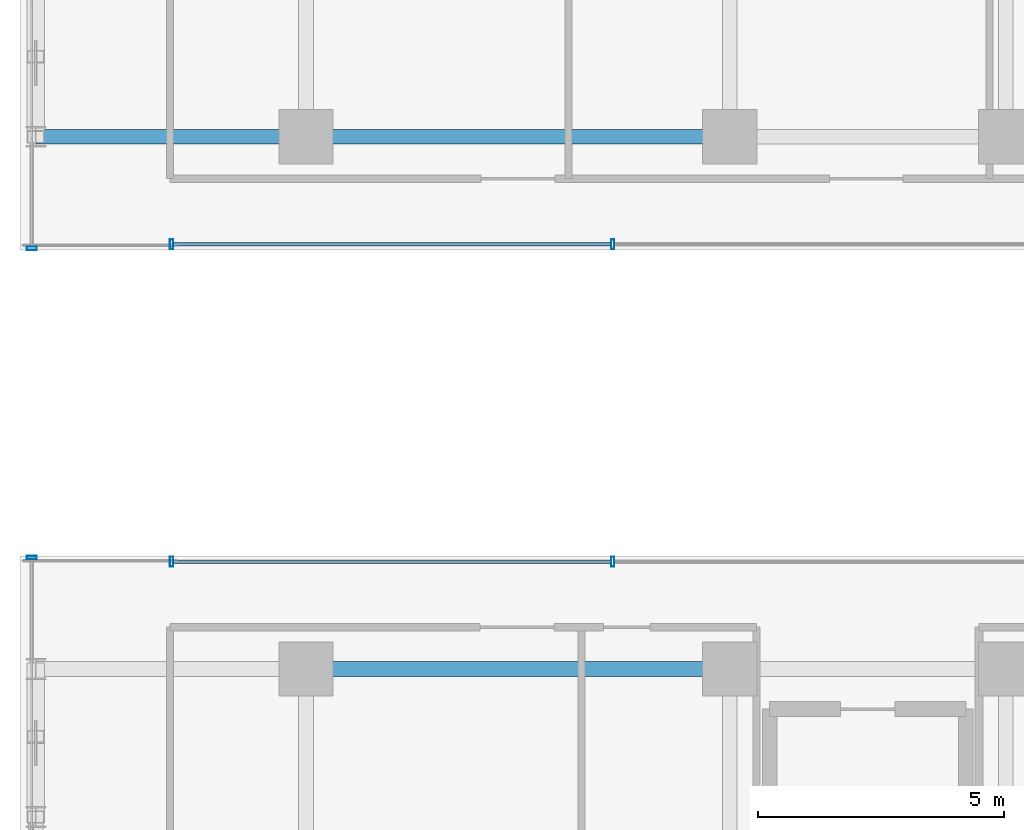
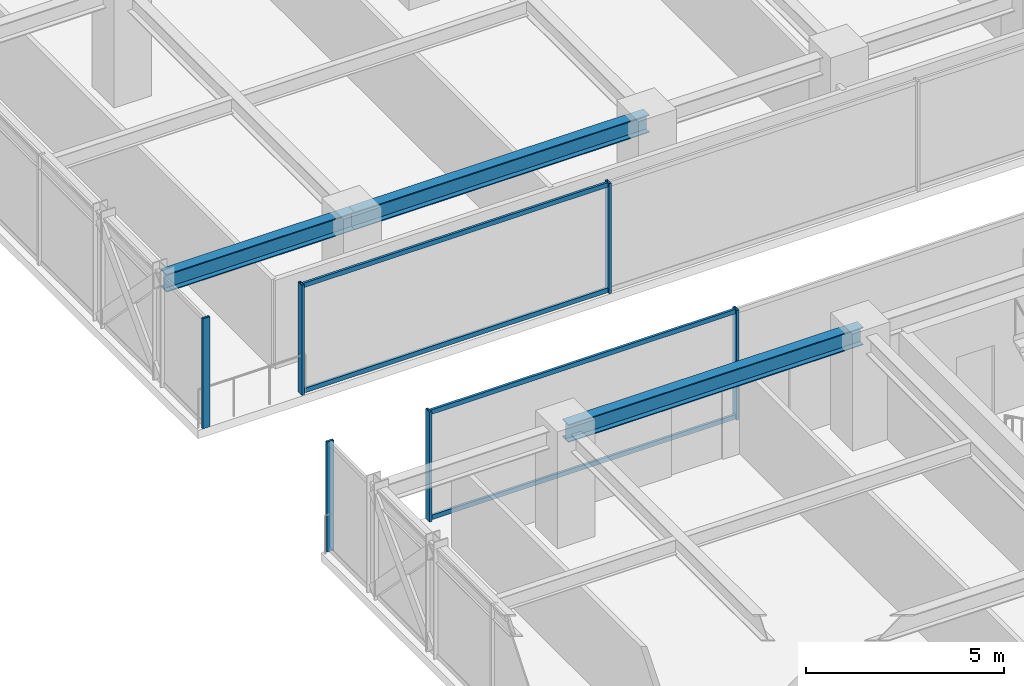
# One storey, part 7 of 38: 10 members, 3 beams, 4 elements without a shape of their own.
"""IFC4 building model written with IfcOpenShell, lengths in metres."""

import ifcopenshell
import ifcopenshell.guid

model = None  # the IFC model being written
_history = None  # IfcOwnerHistory: only IFC2X3 demands one
_inside = {}  # id of a spatial element -> (the spatial element, [elements in it])
_under = {}  # id of a project, library or spatial element -> (it, [spatial elements below it])
_declared = {}  # id of a project -> (the project, [libraries it declares])
_typed = {}  # id of a type object -> (the type object, [elements of that type])
_made_of = {}  # id of a material, layer set ... -> (it, [elements and type objects made of it])


def new_model(schema):
    """Start an empty IFC model of exactly this schema.

    Asked for "IFC4X3", IfcOpenShell would pick the latest addendum, in which some entities
    have other attributes; the version numbers below select the first issue.
    IFC2X3 requires an IfcOwnerHistory on every rooted entity: one is made here for all.
    """
    global model, _history
    if schema == "IFC4X3":
        model = ifcopenshell.file(schema_version=(4, 3, 0, 0))
    else:
        model = ifcopenshell.file(schema=schema)
    _inside.clear()
    _under.clear()
    _declared.clear()
    _typed.clear()
    _made_of.clear()
    _history = None
    if model.schema == "IFC2X3":
        org = make("IfcOrganization", Name="unknown")
        user = make(
            "IfcPersonAndOrganization",
            ThePerson=make("IfcPerson", FamilyName="unknown"),
            TheOrganization=org,
        )
        app = make(
            "IfcApplication",
            ApplicationDeveloper=org,
            Version="unknown",
            ApplicationFullName="unknown",
            ApplicationIdentifier="unknown",
        )
        _history = make(
            "IfcOwnerHistory",
            OwningUser=user,
            OwningApplication=app,
            ChangeAction="ADDED",
            CreationDate=0,
        )
    return model


def make(cls, **values):
    """One entity of the class cls with the attributes given. An attribute that is None is left unset."""
    return model.create_entity(
        cls, **{name: value for name, value in values.items() if value is not None}
    )


def rooted(cls, **values):
    """An entity with a GlobalId (a new one), such as an element, a storey or a relation."""
    return make(cls, GlobalId=ifcopenshell.guid.new(), OwnerHistory=_history, **values)


def si_unit(unit_type, name, prefix=None):
    """IfcSIUnit, for example si_unit("LENGTHUNIT", "METRE", prefix="MILLI")."""
    return make("IfcSIUnit", UnitType=unit_type, Prefix=prefix, Name=name)


def assignment(units):
    """IfcUnitAssignment: the units of a project."""
    return None if units is None else make("IfcUnitAssignment", Units=units)


def point(xyz):
    """IfcCartesianPoint."""
    return None if xyz is None else make("IfcCartesianPoint", Coordinates=xyz)


def direction(xyz):
    """IfcDirection."""
    return None if xyz is None else make("IfcDirection", DirectionRatios=xyz)


def frame(location, z_axis=None, x_axis=None):
    """IfcAxis2Placement3D, a coordinate frame: its origin and axes. An axis left out is left unset."""
    return make(
        "IfcAxis2Placement3D",
        Location=point(location),
        Axis=direction(z_axis),
        RefDirection=direction(x_axis),
    )


def frame_2d(location, x_axis=None):
    """IfcAxis2Placement2D, a coordinate frame in the plane: its origin and x axis."""
    return make(
        "IfcAxis2Placement2D", Location=point(location), RefDirection=direction(x_axis)
    )


def origin():
    """The frame at (0, 0, 0) with its axes left unset."""
    return frame((0.0, 0.0, 0.0))


def origin_2d():
    """The frame at (0, 0) in the plane with its x axis left unset."""
    return frame_2d((0.0, 0.0))


def place(relative_to, where):
    """IfcLocalPlacement: puts the frame where relative to a parent placement (None: the world)."""
    return make(
        "IfcLocalPlacement", PlacementRelTo=relative_to, RelativePlacement=where
    )


def context(
    kind, dimensions, precision=None, world=None, true_north=None, identifier=None
):
    """IfcGeometricRepresentationContext, for example the 3D "Model" context."""
    return make(
        "IfcGeometricRepresentationContext",
        ContextIdentifier=identifier,
        ContextType=kind,
        CoordinateSpaceDimension=dimensions,
        Precision=precision,
        WorldCoordinateSystem=world,
        TrueNorth=true_north,
    )


def subcontext(parent, identifier, kind, view, scale=None):
    """IfcGeometricRepresentationSubContext, for example "Body" below "Model"."""
    return make(
        "IfcGeometricRepresentationSubContext",
        ContextIdentifier=identifier,
        ContextType=kind,
        ParentContext=parent,
        TargetScale=scale,
        TargetView=view,
    )


def project(units=None, contexts=None):
    """IfcProject with its units and contexts."""
    return rooted(
        "IfcProject",
        Name="project",
        RepresentationContexts=contexts,
        UnitsInContext=assignment(units),
    )


def spatial(cls, under=None, at=None, **own):
    """A site, building, storey or space (cls), placed at a placement, below another one or the project."""
    s = rooted(cls, ObjectPlacement=at, **own)
    if under is not None:
        _under.setdefault(under.id(), (under, []))[1].append(s)
    return s


def profile(cls, at=None, kind="AREA", **sizes):
    """A parametric profile (cls). Its sizes go by their IFC names, for example OverallWidth=200.0."""
    return make(cls, ProfileType=kind, Position=at, **sizes)


def hollow_rectangle(**sizes):
    """IfcRectangleHollowProfileDef."""
    return profile("IfcRectangleHollowProfileDef", **sizes)


def i_section(**sizes):
    """IfcIShapeProfileDef."""
    return profile("IfcIShapeProfileDef", **sizes)


def extrude(swept, where, along, depth):
    """IfcExtrudedAreaSolid: the profile swept, set in the frame where, extruded along a direction by depth."""
    return make(
        "IfcExtrudedAreaSolid",
        SweptArea=swept,
        Position=where,
        ExtrudedDirection=direction(along),
        Depth=depth,
    )


def shape(context_of_items, identifier, shape_type, items):
    """IfcShapeRepresentation: the items that make up one representation, for example the "Body"."""
    return make(
        "IfcShapeRepresentation",
        ContextOfItems=context_of_items,
        RepresentationIdentifier=identifier,
        RepresentationType=shape_type,
        Items=items,
    )


def source(mapping_origin, context_of_items, identifier, shape_type, items):
    """IfcRepresentationMap: a shape defined once, which mapped items show again and again."""
    return make(
        "IfcRepresentationMap",
        MappingOrigin=mapping_origin,
        MappedRepresentation=shape(context_of_items, identifier, shape_type, items),
    )


def transform(
    local_origin,
    x_axis=None,
    y_axis=None,
    z_axis=None,
    scale=None,
    scale2=None,
    scale3=None,
    uniform=True,
):
    """IfcCartesianTransformationOperator3D, or its non-uniform kind. x_axis, y_axis, z_axis: its Axis1, 2, 3."""
    if uniform:
        return make(
            "IfcCartesianTransformationOperator3D",
            Axis1=direction(x_axis),
            Axis2=direction(y_axis),
            LocalOrigin=point(local_origin),
            Scale=scale,
            Axis3=direction(z_axis),
        )
    return make(
        "IfcCartesianTransformationOperator3DnonUniform",
        Axis1=direction(x_axis),
        Axis2=direction(y_axis),
        LocalOrigin=point(local_origin),
        Scale=scale,
        Axis3=direction(z_axis),
        Scale2=scale2,
        Scale3=scale3,
    )


def mapped(mapping_source, mapping_target):
    """IfcMappedItem: shows the shape of a source again, moved by a transform."""
    return make(
        "IfcMappedItem", MappingSource=mapping_source, MappingTarget=mapping_target
    )


def material(Name=None, Category=None):
    """IfcMaterial."""
    return make("IfcMaterial", Name=Name, Category=Category)


def material_profile(
    of_material, cross_section, Name=None, Category=None, Priority=None
):
    """IfcMaterialProfile: a cross section and its material."""
    return make(
        "IfcMaterialProfile",
        Name=Name,
        Material=of_material,
        Profile=cross_section,
        Priority=Priority,
        Category=Category,
    )


def profile_set(profiles, Name=None, composite=None):
    """IfcMaterialProfileSet."""
    return make(
        "IfcMaterialProfileSet",
        Name=Name,
        MaterialProfiles=profiles,
        CompositeProfile=composite,
    )


def made_of(thing, what):
    """Note that an element or type object is made of a material, layer set ...; save() writes the relation."""
    if what is not None:
        _made_of.setdefault(what.id(), (what, []))[1].append(thing)
    return thing


def type_object(cls, material=None, **own):
    """A type object (cls), such as IfcWallType, which elements share."""
    return made_of(rooted(cls, **own), material)


def element(
    cls,
    number,
    at=None,
    inside=None,
    cuts=None,
    type_object=None,
    material=None,
    context=None,
    identifier="Body",
    shape_type=None,
    held_by="IfcProductDefinitionShape",
    body=None,
    shapes=None,
    **own,
):
    """One element of the class cls, such as IfcWall. Its Tag is "e" and its number.

    at: its placement. inside: the storey or other place that contains it. cuts: it is an
    opening in that element (IfcRelVoidsElement). A single representation is given by context,
    identifier, shape_type and body (its items); several are given by shapes. held_by: the class
    of the entity that holds the representations. save() writes the other relations.
    """
    e = rooted(cls, Tag="e%d" % number, ObjectPlacement=at, **own)
    if body is not None:
        shapes = [shape(context, identifier, shape_type, body)]
    if shapes is not None:
        e.Representation = make(held_by, Representations=shapes)
    if inside is not None:
        _inside.setdefault(inside.id(), (inside, []))[1].append(e)
    if cuts is not None:
        rooted(
            "IfcRelVoidsElement", RelatingBuildingElement=cuts, RelatedOpeningElement=e
        )
    if type_object is not None:
        _typed.setdefault(type_object.id(), (type_object, []))[1].append(e)
    return made_of(e, material)


def aggregate(whole, parts):
    """IfcRelAggregates: a whole, such as a stair, and the parts it consists of."""
    return rooted("IfcRelAggregates", RelatingObject=whole, RelatedObjects=parts)


def save(model, path):
    """Write the relations noted so far, then the file.

    IfcRelAggregates (storeys below a building ...), IfcRelContainedInSpatialStructure (elements
    in a storey), IfcRelDefinesByType, IfcRelAssociatesMaterial and IfcRelDeclares: one each for
    every whole, place, type object, material and project.
    """
    for whole, parts in _under.values():
        aggregate(whole, parts)
    for where, things in _inside.values():
        rooted(
            "IfcRelContainedInSpatialStructure",
            RelatedElements=things,
            RelatingStructure=where,
        )
    for kind, things in _typed.values():
        rooted("IfcRelDefinesByType", RelatedObjects=things, RelatingType=kind)
    for what, things in _made_of.values():
        rooted("IfcRelAssociatesMaterial", RelatedObjects=things, RelatingMaterial=what)
    for by, libraries in _declared.values():
        rooted("IfcRelDeclares", RelatingContext=by, RelatedDefinitions=libraries)
    model.write(path)


model = new_model("IFC4")

# Units and contexts
model_context = context("Model", 3, precision=1e-05, world=origin(), true_north=direction((0.0, 1.0)))
body_context = subcontext(model_context, "Body", "Model", "MODEL_VIEW")
ifc_project = project(units=[si_unit("LENGTHUNIT", "METRE"), si_unit("AREAUNIT", "SQUARE_METRE"), si_unit("VOLUMEUNIT", "CUBIC_METRE"), si_unit("PLANEANGLEUNIT", "RADIAN"), si_unit("MASSUNIT", "GRAM", prefix="KILO")], contexts=[model_context])

# Site, building, storey
site_placement = place(None, origin())
site = spatial("IfcSite", under=ifc_project, at=site_placement, CompositionType="ELEMENT")
building_placement = place(site_placement, origin())
building = spatial("IfcBuilding", under=site, at=building_placement, Name="Nahalor Promenade Grand Hotel", CompositionType="ELEMENT")
storey_placement = place(building_placement, frame((0.0, 0.0, 178.199951171875)))
storey = spatial("IfcBuildingStorey", under=building, at=storey_placement, Name="L45", CompositionType="ELEMENT", Elevation=178.199951171875)

# Beams
ifc_material_1 = material(Name="Steel S355JR", Category="steel")
ifc_material_profile_1 = material_profile(ifc_material_1, i_section(OverallWidth=0.3, OverallDepth=0.55, WebThickness=0.015, FlangeThickness=0.029, at=origin_2d()), Name="HEB 550")
ifc_profile_set_1 = profile_set([ifc_material_profile_1], Name="Steel S355JR")
beam_type = type_object("IfcBeamType", Name="Beam-Girder-HEB550", PredefinedType="BEAM", material=ifc_profile_set_1)
shared_shape_1 = source(origin(), body_context, "Body", "SweptSolid", [
    extrude(i_section(OverallWidth=0.3, OverallDepth=0.55, WebThickness=0.015, FlangeThickness=0.029, at=origin_2d()), origin(), (0.0, 0.0, 1.0), 8.60009765625),
])
for number, where, z_axis, x_axis, name in (
    (1, (-17.0, -5.39990234375, 3.114990234375), (1.0, 0.0, 0.0), (0.0, 1.0, 0.0), "BM-L45-GX-1-1"),
    (2, (-17.0, 5.39990234375, 3.114990234375), (1.0, 0.0, 0.0), (0.0, 1.0, 0.0), "BM-L45-GX-2-1"),
):
    element("IfcBeam", number, at=place(storey_placement, frame(where, z_axis=z_axis, x_axis=x_axis)), inside=storey, type_object=beam_type, Name=name, PredefinedType="BEAM", context=body_context, shape_type="MappedRepresentation", body=[
        mapped(shared_shape_1, transform((0.0, 0.0, 0.0), scale=1.0)),
    ])
shared_shape_2 = source(origin(), body_context, "Body", "SweptSolid", [
    extrude(i_section(OverallWidth=0.3, OverallDepth=0.55, WebThickness=0.015, FlangeThickness=0.029, at=origin_2d()), origin(), (0.0, 0.0, 1.0), 5.47998046875),
])
beam_placement = place(storey_placement, frame((-22.47998046875, 5.39990234375, 3.114990234375), z_axis=(1.0, 0.0, 0.0), x_axis=(0.0, 1.0, 0.0)))
element("IfcBeam", 3, at=beam_placement, inside=storey, type_object=beam_type, Name="BM-L45-GX-2-0", PredefinedType="BEAM", context=body_context, shape_type="MappedRepresentation", body=[
    mapped(shared_shape_2, transform((0.0, 0.0, 0.0), scale=1.0)),
])

# Curtain wall, member
ifc_material_2 = material(Name="Anodised Bronze Aluminium EN AW-6063 T6", Category="aluminium")
curtain_wall_type = type_object("IfcCurtainWallType", Name="CW3 Elliptical-Void Collar Unitised Curtain Wall", PredefinedType="USERDEFINED", material=ifc_material_2)
curtain_wall_1_placement = place(storey_placement, origin())
curtain_wall_1 = element("IfcCurtainWall", 4, at=curtain_wall_1_placement, inside=storey, type_object=curtain_wall_type, Name="L45 Curtain Wall CW-L45-W-1", ObjectType="UNITISED_CURTAIN_WALL", PredefinedType="USERDEFINED")
ifc_material_profile_2 = material_profile(ifc_material_2, hollow_rectangle(XDim=0.07, YDim=0.2, WallThickness=0.005, at=origin_2d()), Name="CWM 70x200x5")
ifc_profile_set_2 = profile_set([ifc_material_profile_2], Name="Anodised Bronze Aluminium EN AW-6063 T6")
member_type_1 = type_object("IfcMemberType", Name="CWM3 Void Collar Mullion 70x200", PredefinedType="MULLION", material=ifc_profile_set_2)
shared_shape_3 = source(origin(), body_context, "Body", "SweptSolid", [
    extrude(hollow_rectangle(XDim=0.07, YDim=0.2, WallThickness=0.005, at=origin_2d()), origin(), (0.0, 0.0, 1.0), 3.39013671875),
])
member_1_placement = place(storey_placement, frame((-22.56005859375, -3.135009765625, 0.0), z_axis=(0.0, 0.0, 1.0), x_axis=(0.0, 1.0, 0.0)))
member_1 = element("IfcMember", 5, at=member_1_placement, type_object=member_type_1, Name="CW-L45-W-1 Mullion 2", PredefinedType="MULLION", context=body_context, shape_type="MappedRepresentation", body=[
    mapped(shared_shape_3, transform((0.0, 0.0, 0.0), scale=1.0)),
])
aggregate(curtain_wall_1, [member_1])

curtain_wall_2_placement = place(storey_placement, origin())
curtain_wall_2 = element("IfcCurtainWall", 6, at=curtain_wall_2_placement, inside=storey, type_object=curtain_wall_type, Name="L45 Curtain Wall CW-L45-W-2", ObjectType="UNITISED_CURTAIN_WALL", PredefinedType="USERDEFINED")
member_2_placement = place(storey_placement, frame((-22.56005859375, 3.135009765625, 0.0), z_axis=(0.0, 0.0, 1.0), x_axis=(0.0, 1.0, 0.0)))
member_2 = element("IfcMember", 7, at=member_2_placement, type_object=member_type_1, Name="CW-L45-W-2 Mullion 0", PredefinedType="MULLION", context=body_context, shape_type="MappedRepresentation", body=[
    mapped(shared_shape_3, transform((0.0, 0.0, 0.0), scale=1.0)),
])
aggregate(curtain_wall_2, [member_2])

# Curtain wall, members
curtain_wall_3_placement = place(storey_placement, origin())
curtain_wall_3 = element("IfcCurtainWall", 8, at=curtain_wall_3_placement, inside=storey, type_object=curtain_wall_type, Name="L45 Curtain Wall CW-L45-VOID-WS1", ObjectType="UNITISED_CURTAIN_WALL", PredefinedType="USERDEFINED")
member_3_placement = place(storey_placement, frame((-19.72509765625, -3.219970703125, 0.0), z_axis=(0.0, 0.0, 1.0), x_axis=(1.0, 0.0, 0.0)))
member_3 = element("IfcMember", 9, at=member_3_placement, type_object=member_type_1, Name="CW-L45-VOID-WS1 Mullion 0", PredefinedType="MULLION", context=body_context, shape_type="MappedRepresentation", body=[
    mapped(shared_shape_3, transform((0.0, 0.0, 0.0), scale=1.0)),
])
member_4_placement = place(storey_placement, frame((-10.7734375, -3.219970703125, 0.0), z_axis=(0.0, 0.0, 1.0), x_axis=(1.0, 0.0, 0.0)))
member_4 = element("IfcMember", 10, at=member_4_placement, type_object=member_type_1, Name="CW-L45-VOID-WS1 Mullion 1", PredefinedType="MULLION", context=body_context, shape_type="MappedRepresentation", body=[
    mapped(shared_shape_3, transform((0.0, 0.0, 0.0), scale=1.0)),
])

curtain_wall_4_placement = place(storey_placement, origin())
curtain_wall_4 = element("IfcCurtainWall", 11, at=curtain_wall_4_placement, inside=storey, type_object=curtain_wall_type, Name="L45 Curtain Wall CW-L45-VOID-WN1", ObjectType="UNITISED_CURTAIN_WALL", PredefinedType="USERDEFINED")
member_5_placement = place(storey_placement, frame((-19.72509765625, 3.219970703125, 0.0), z_axis=(0.0, 0.0, 1.0), x_axis=(1.0, 0.0, 0.0)))
member_5 = element("IfcMember", 12, at=member_5_placement, type_object=member_type_1, Name="CW-L45-VOID-WN1 Mullion 0", PredefinedType="MULLION", context=body_context, shape_type="MappedRepresentation", body=[
    mapped(shared_shape_3, transform((0.0, 0.0, 0.0), scale=1.0)),
])
member_6_placement = place(storey_placement, frame((-10.7734375, 3.219970703125, 0.0), z_axis=(0.0, 0.0, 1.0), x_axis=(1.0, 0.0, 0.0)))
member_6 = element("IfcMember", 13, at=member_6_placement, type_object=member_type_1, Name="CW-L45-VOID-WN1 Mullion 1", PredefinedType="MULLION", context=body_context, shape_type="MappedRepresentation", body=[
    mapped(shared_shape_3, transform((0.0, 0.0, 0.0), scale=1.0)),
])

# Member
ifc_material_profile_3 = material_profile(ifc_material_2, hollow_rectangle(XDim=0.07, YDim=0.14, WallThickness=0.004, at=origin_2d()), Name="CWT 70x140x4")
ifc_profile_set_3 = profile_set([ifc_material_profile_3], Name="Anodised Bronze Aluminium EN AW-6063 T6")
member_type_2 = type_object("IfcMemberType", Name="CWT3 Void Collar Transom 70x140", PredefinedType="USERDEFINED", material=ifc_profile_set_3)
shared_shape_4 = source(origin(), body_context, "Body", "SweptSolid", [
    extrude(hollow_rectangle(XDim=0.07, YDim=0.14, WallThickness=0.004, at=origin_2d()), origin(), (0.0, 0.0, 1.0), 8.881591796875),
])
member_7_placement = place(storey_placement, frame((-19.68994140625, -3.219970703125, 0.070068359375), z_axis=(1.0, 0.0, 0.0), x_axis=(0.0, 1.0, 0.0)))
member_7 = element("IfcMember", 14, at=member_7_placement, type_object=member_type_2, Name="CW-L45-VOID-WS1 Transom 0-0", ObjectType="TRANSOM", PredefinedType="USERDEFINED", context=body_context, shape_type="MappedRepresentation", body=[
    mapped(shared_shape_4, transform((0.0, 0.0, 0.0), scale=1.0)),
])

member_8_placement = place(storey_placement, frame((-19.68994140625, -3.219970703125, 3.320068359375), z_axis=(1.0, 0.0, 0.0), x_axis=(0.0, 1.0, 0.0)))
member_8 = element("IfcMember", 15, at=member_8_placement, type_object=member_type_2, Name="CW-L45-VOID-WS1 Transom 0-1", ObjectType="TRANSOM", PredefinedType="USERDEFINED", context=body_context, shape_type="MappedRepresentation", body=[
    mapped(shared_shape_4, transform((0.0, 0.0, 0.0), scale=1.0)),
])

aggregate(curtain_wall_3, [member_3, member_4, member_7, member_8])

member_9_placement = place(storey_placement, frame((-19.68994140625, 3.219970703125, 0.070068359375), z_axis=(1.0, 0.0, 0.0), x_axis=(0.0, 1.0, 0.0)))
member_9 = element("IfcMember", 16, at=member_9_placement, type_object=member_type_2, Name="CW-L45-VOID-WN1 Transom 0-0", ObjectType="TRANSOM", PredefinedType="USERDEFINED", context=body_context, shape_type="MappedRepresentation", body=[
    mapped(shared_shape_4, transform((0.0, 0.0, 0.0), scale=1.0)),
])

member_10_placement = place(storey_placement, frame((-19.68994140625, 3.219970703125, 3.320068359375), z_axis=(1.0, 0.0, 0.0), x_axis=(0.0, 1.0, 0.0)))
member_10 = element("IfcMember", 17, at=member_10_placement, type_object=member_type_2, Name="CW-L45-VOID-WN1 Transom 0-1", ObjectType="TRANSOM", PredefinedType="USERDEFINED", context=body_context, shape_type="MappedRepresentation", body=[
    mapped(shared_shape_4, transform((0.0, 0.0, 0.0), scale=1.0)),
])

aggregate(curtain_wall_4, [member_5, member_6, member_9, member_10])

save(model, "model.ifc")
